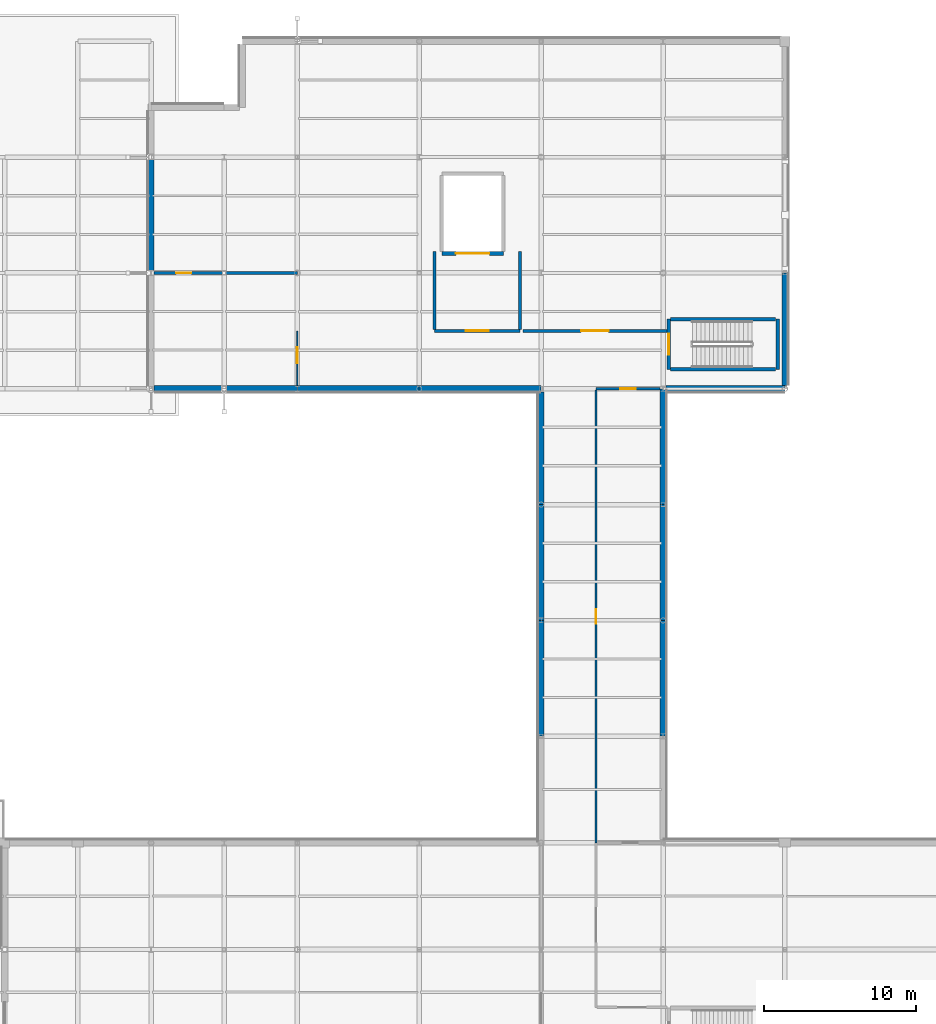
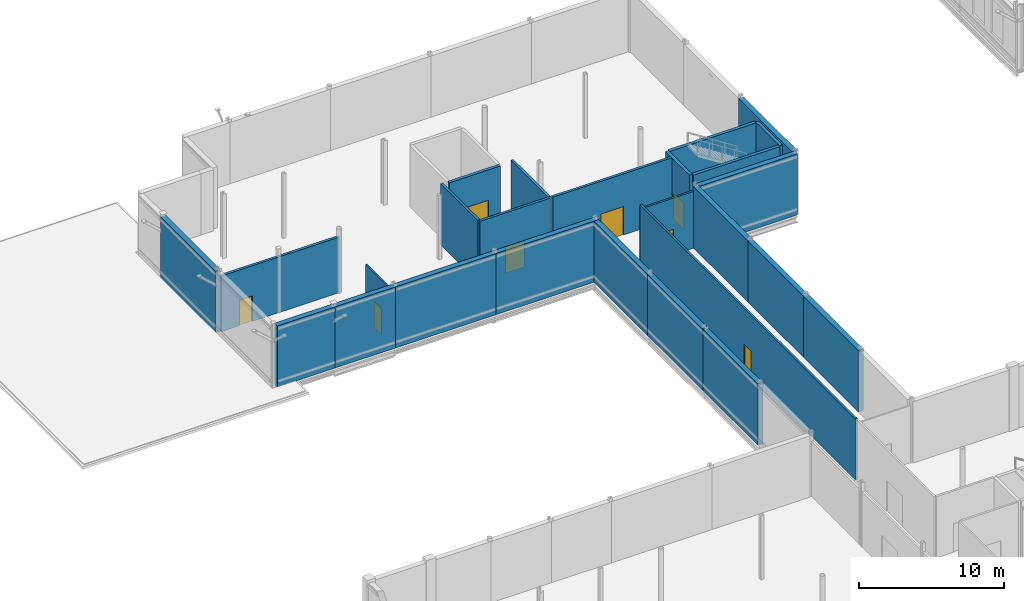
# One storey, part 121 of 147: 26 walls, 8 doors, 8 openings.
"""IFC4 building model written with IfcOpenShell, lengths in metres."""

from ifc_helpers import new_model, si_unit, direction, frame, frame_2d, origin, place, context, subcontext, project, spatial, rectangle, extrude, material, layer, layer_set, type_object, element, fill, save


model = new_model("IFC4")

# Units and contexts
model_context = context("Model", 3, precision=1e-05, world=origin(), true_north=direction((0.0, 1.0)))
body_context = subcontext(model_context, "Body", "Model", "MODEL_VIEW")
ifc_project = project(units=[si_unit("LENGTHUNIT", "METRE"), si_unit("AREAUNIT", "SQUARE_METRE"), si_unit("VOLUMEUNIT", "CUBIC_METRE"), si_unit("PLANEANGLEUNIT", "RADIAN"), si_unit("MASSUNIT", "GRAM", prefix="KILO")], contexts=[model_context])

# Site, building, storey
site_placement = place(None, origin())
site = spatial("IfcSite", under=ifc_project, at=site_placement, CompositionType="ELEMENT")
building_placement = place(site_placement, origin())
building = spatial("IfcBuilding", under=site, at=building_placement, Name="Vekula Escarpment Museum", CompositionType="ELEMENT")
storey_placement = place(building_placement, frame((0.0, 0.0, 7.800048828125)))
storey = spatial("IfcBuildingStorey", under=building, at=storey_placement, Name="L02", CompositionType="ELEMENT", Elevation=7.800048828125)

# Walls
ifc_material_1 = material(Name="Concrete C35/45", Category="concrete")
ifc_layer_1 = layer(ifc_material_1, 0.39990234375)
ifc_layer_set_1 = layer_set([ifc_layer_1], Name="Concrete C35/45")
wall_type_1 = type_object("IfcWallType", Name="WL-ARC-400", PredefinedType="SOLIDWALL", material=ifc_layer_set_1)
for number, where, z_axis, x_axis, name in (
    (1, (48.0, 98.0, 0.0), (0.0, 0.0, 1.0), (0.0, -1.0, 0.0), "Exterior Wall WL-EXT-L02-0478"),
    (2, (48.0, 105.60009765625, 0.0), (0.0, 0.0, 1.0), (0.0, -1.0, 0.0), "Exterior Wall WL-EXT-L02-0479"),
):
    element("IfcWall", number, at=place(storey_placement, frame(where, z_axis=z_axis, x_axis=x_axis)), inside=storey, type_object=wall_type_1, Name=name, PredefinedType="SOLIDWALL", context=body_context, shape_type="SweptSolid", body=[
        extrude(rectangle(XDim=7.60009765625, YDim=0.39990234375, at=frame_2d((3.800048828125, 0.0))), origin(), (0.0, 0.0, 1.0), 5.14990234375),
    ])
wall_1_placement = place(storey_placement, frame((48.0, 113.199951171875, 0.0), z_axis=(0.0, 0.0, 1.0), x_axis=(0.0, -1.0, 0.0)))
element("IfcWall", 3, at=wall_1_placement, inside=storey, type_object=wall_type_1, Name="Exterior Wall WL-EXT-L02-0480", PredefinedType="SOLIDWALL", context=body_context, shape_type="SweptSolid", body=[
    extrude(rectangle(XDim=7.599853515625, YDim=0.39990234375, at=frame_2d((3.7998046875, 0.0))), origin(), (0.0, 0.0, 1.0), 5.14990234375),
])
wall_2_placement = place(storey_placement, frame((56.0, 113.199951171875, 0.0), z_axis=(0.0, 0.0, 1.0), x_axis=(-1.0, 0.0, 0.0)))
element("IfcWall", 4, at=wall_2_placement, inside=storey, type_object=wall_type_1, Name="Exterior Wall WL-EXT-L02-0481", PredefinedType="SOLIDWALL", context=body_context, shape_type="SweptSolid", body=[
    extrude(rectangle(XDim=7.7958984375, YDim=0.39990234375, at=frame_2d((3.89794921875, 0.0))), origin(), (0.0, 0.0, 1.0), 5.14990234375),
])
wall_3_placement = place(storey_placement, frame((56.0, 120.800048828125, 0.0), z_axis=(0.0, 0.0, 1.0), x_axis=(0.0, -1.0, 0.0)))
element("IfcWall", 5, at=wall_3_placement, inside=storey, type_object=wall_type_1, Name="Exterior Wall WL-EXT-L02-0482", PredefinedType="SOLIDWALL", context=body_context, shape_type="SweptSolid", body=[
    extrude(rectangle(XDim=7.39599609375, YDim=0.39990234375, at=frame_2d((3.697998046875, 0.0))), origin(), (0.0, 0.0, 1.0), 5.14990234375),
])
wall_4_placement = place(storey_placement, frame((14.39990234375, 120.800048828125, 0.0), z_axis=(0.0, 0.0, 1.0), x_axis=(0.0, 1.0, 0.0)))
element("IfcWall", 6, at=wall_4_placement, inside=storey, type_object=wall_type_1, Name="Exterior Wall WL-EXT-L02-0494", PredefinedType="SOLIDWALL", context=body_context, shape_type="SweptSolid", body=[
    extrude(rectangle(XDim=7.599853515625, YDim=0.39990234375, at=frame_2d((3.7998046875, 0.0))), origin(), (0.0, 0.0, 1.0), 5.14990234375),
])
wall_5_placement = place(storey_placement, frame((19.199951171875, 113.199951171875, 0.0), z_axis=(0.0, 0.0, 1.0), x_axis=(-1.0, 0.0, 0.0)))
element("IfcWall", 7, at=wall_5_placement, inside=storey, type_object=wall_type_1, Name="Exterior Wall WL-EXT-L02-0496", PredefinedType="SOLIDWALL", context=body_context, shape_type="SweptSolid", body=[
    extrude(rectangle(XDim=4.595947265625, YDim=0.39990234375, at=frame_2d((2.2978515625, 0.0))), origin(), (0.0, 0.0, 1.0), 5.14990234375),
])
wall_6_placement = place(storey_placement, frame((24.0, 113.199951171875, 0.0), z_axis=(0.0, 0.0, 1.0), x_axis=(-1.0, 0.0, 0.0)))
element("IfcWall", 8, at=wall_6_placement, inside=storey, type_object=wall_type_1, Name="Exterior Wall WL-EXT-L02-0497", PredefinedType="SOLIDWALL", context=body_context, shape_type="SweptSolid", body=[
    extrude(rectangle(XDim=4.800048828125, YDim=0.39990234375, at=frame_2d((2.39990234375, 0.0))), origin(), (0.0, 0.0, 1.0), 5.14990234375),
])
for number, where, z_axis, x_axis, name in (
    (9, (32.0, 113.199951171875, 0.0), (0.0, 0.0, 1.0), (-1.0, 0.0, 0.0), "Exterior Wall WL-EXT-L02-0498"),
    (10, (40.0, 113.199951171875, 0.0), (0.0, 0.0, 1.0), (-1.0, 0.0, 0.0), "Exterior Wall WL-EXT-L02-0499"),
):
    element("IfcWall", number, at=place(storey_placement, frame(where, z_axis=z_axis, x_axis=x_axis)), inside=storey, type_object=wall_type_1, Name=name, PredefinedType="SOLIDWALL", context=body_context, shape_type="SweptSolid", body=[
        extrude(rectangle(XDim=8.0, YDim=0.39990234375, at=frame_2d((4.0, 0.0))), origin(), (0.0, 0.0, 1.0), 5.14990234375),
    ])
wall_7_placement = place(storey_placement, frame((40.0, 105.60009765625, 0.0), z_axis=(0.0, 0.0, 1.0), x_axis=(0.0, 1.0, 0.0)))
element("IfcWall", 11, at=wall_7_placement, inside=storey, type_object=wall_type_1, Name="Exterior Wall WL-EXT-L02-0500", PredefinedType="SOLIDWALL", context=body_context, shape_type="SweptSolid", body=[
    extrude(rectangle(XDim=7.39599609375, YDim=0.39990234375, at=frame_2d((3.697998046875, 0.0))), origin(), (0.0, 0.0, 1.0), 5.14990234375),
])
for number, where, z_axis, x_axis, name in (
    (12, (40.0, 98.0, 0.0), (0.0, 0.0, 1.0), (0.0, 1.0, 0.0), "Exterior Wall WL-EXT-L02-0501"),
    (13, (40.0, 90.39990234375, 0.0), (0.0, 0.0, 1.0), (0.0, 1.0, 0.0), "Exterior Wall WL-EXT-L02-0502"),
):
    element("IfcWall", number, at=place(storey_placement, frame(where, z_axis=z_axis, x_axis=x_axis)), inside=storey, type_object=wall_type_1, Name=name, PredefinedType="SOLIDWALL", context=body_context, shape_type="SweptSolid", body=[
        extrude(rectangle(XDim=7.60009765625, YDim=0.39990234375, at=frame_2d((3.800048828125, 0.0))), origin(), (0.0, 0.0, 1.0), 5.14990234375),
    ])

# Wall, opening, door
ifc_material_2 = material(Name="Concrete C35/45", Category="concrete")
ifc_layer_2 = layer(ifc_material_2, 0.25)
ifc_layer_set_2 = layer_set([ifc_layer_2], Name="Concrete C35/45")
wall_type_2 = type_object("IfcWallType", Name="WL-CORE-250", PredefinedType="SHEAR", material=ifc_layer_set_2)
wall_8_placement = place(storey_placement, frame((48.375, 114.47509765625, 0.0), z_axis=(0.0, 0.0, 1.0), x_axis=(0.0, 1.0, 0.0)))
wall_8 = element("IfcWall", 14, at=wall_8_placement, inside=storey, type_object=wall_type_2, Name="Stair Core Wall ST-03 L02 W", PredefinedType="SHEAR", context=body_context, shape_type="SweptSolid", body=[
    extrude(rectangle(XDim=3.289794921875, YDim=0.25, at=frame_2d((1.64501953125, 0.0))), origin(), (0.0, 0.0, 1.0), 5.14990234375),
])
opening_1_placement = place(wall_8_placement, frame((0.945068359375, 0.0, 0.0)))
opening_1 = element("IfcOpeningElement", 15, at=opening_1_placement, cuts=wall_8, Name="Opening DR-FD60", PredefinedType="OPENING", context=body_context, shape_type="SweptSolid", body=[
    extrude(rectangle(XDim=1.39990234375, YDim=2.199951171875, at=frame_2d((0.699951171875, 1.10009765625))), frame((0.0, 0.135009765625, 0.0), z_axis=(0.0, -1.0, 0.0), x_axis=(1.0, 0.0, 0.0)), (0.0, 0.0, 1.0), 0.27001953125),
])
ifc_material_3 = material(Name="Fire-rated steel stair door", Category="steel")
door_type_1 = type_object("IfcDoorType", Name="DR-STAIR-1400x2200", OperationType="NOTDEFINED", PredefinedType="DOOR", material=ifc_material_3)
door_1_placement = place(opening_1_placement, origin())
door_1 = element("IfcDoor", 16, at=door_1_placement, inside=storey, type_object=door_type_1, Name="Protected Exit Stair Door ST-03 L02", OperationType="SINGLE_SWING_RIGHT", OverallHeight=2.199951171875, OverallWidth=1.39990234375, PredefinedType="DOOR", context=body_context, shape_type="SweptSolid", body=[
    extrude(rectangle(XDim=1.39990234375, YDim=2.199951171875, at=frame_2d((0.699951171875, 1.10009765625))), frame((0.0, 0.02490234375, 0.0), z_axis=(0.0, -1.0, 0.0), x_axis=(1.0, 0.0, 0.0)), (0.0, 0.0, 1.0), 0.050048828125),
])
fill(opening_1, door_1)

# Walls
wall_9_placement = place(storey_placement, frame((55.52490234375, 114.47509765625, 0.0), z_axis=(0.0, 0.0, 1.0), x_axis=(0.0, 1.0, 0.0)))
element("IfcWall", 17, at=wall_9_placement, inside=storey, type_object=wall_type_2, Name="Stair Core Wall ST-03 L02 E", PredefinedType="SHEAR", context=body_context, shape_type="SweptSolid", body=[
    extrude(rectangle(XDim=3.289794921875, YDim=0.25, at=frame_2d((1.64501953125, 0.0))), origin(), (0.0, 0.0, 1.0), 5.14990234375),
])
for number, where, z_axis, x_axis, name in (
    (18, (48.50390625, 114.47509765625, 0.0), (0.0, 0.0, 1.0), (1.0, 0.0, 0.0), "Stair Core Wall ST-03 L02 S"),
    (19, (48.50390625, 117.764892578125, 0.0), (0.0, 0.0, 1.0), (1.0, 0.0, 0.0), "Stair Core Wall ST-03 L02 N"),
):
    element("IfcWall", number, at=place(storey_placement, frame(where, z_axis=z_axis, x_axis=x_axis)), inside=storey, type_object=wall_type_2, Name=name, PredefinedType="SHEAR", context=body_context, shape_type="SweptSolid", body=[
        extrude(rectangle(XDim=6.89208984375, YDim=0.25, at=frame_2d((3.446044921875, 0.0))), origin(), (0.0, 0.0, 1.0), 5.14990234375),
    ])

# Wall, opening, door
ifc_material_4 = material(Name="Concrete C35/45", Category="concrete")
ifc_layer_3 = layer(ifc_material_4, 0.199951171875)
ifc_layer_set_3 = layer_set([ifc_layer_3], Name="Concrete C35/45")
wall_type_3 = type_object("IfcWallType", Name="WL-FFL-200", PredefinedType="PARTITIONING", material=ifc_layer_set_3)
wall_10_placement = place(storey_placement, frame((33.0, 117.0, 0.0), z_axis=(0.0, 0.0, 1.0), x_axis=(1.0, 0.0, 0.0)))
wall_10 = element("IfcWall", 20, at=wall_10_placement, inside=storey, type_object=wall_type_3, Name="Lift Lobby Wall GL-01 L02 S", PredefinedType="PARTITIONING", context=body_context, shape_type="SweptSolid", body=[
    extrude(rectangle(XDim=5.60009765625, YDim=0.199951171875, at=frame_2d((2.800048828125, 0.0))), origin(), (0.0, 0.0, 1.0), 5.14990234375),
])
opening_2_placement = place(wall_10_placement, frame((2.050048828125, 0.0, 0.0)))
opening_2 = element("IfcOpeningElement", 21, at=opening_2_placement, cuts=wall_10, Name="Opening DR-FD60L", PredefinedType="OPENING", context=body_context, shape_type="SweptSolid", body=[
    extrude(rectangle(XDim=1.5, YDim=2.199951171875, at=frame_2d((0.75, 1.10009765625))), frame((0.0, 0.10986328125, 0.0), z_axis=(0.0, -1.0, 0.0), x_axis=(1.0, 0.0, 0.0)), (0.0, 0.0, 1.0), 0.219970703125),
])
ifc_material_5 = material(Name="Fire-rated glazed lobby door", Category="steel")
door_type_2 = type_object("IfcDoorType", Name="DR-FFLOB-1500x2200", OperationType="NOTDEFINED", PredefinedType="DOOR", material=ifc_material_5)
door_2_placement = place(opening_2_placement, origin())
door_2 = element("IfcDoor", 22, at=door_2_placement, inside=storey, type_object=door_type_2, Name="Lift Lobby Fire Door GL-01 L02", OperationType="SINGLE_SWING_RIGHT", OverallHeight=2.199951171875, OverallWidth=1.5, PredefinedType="DOOR", context=body_context, shape_type="SweptSolid", body=[
    extrude(rectangle(XDim=1.5, YDim=2.199951171875, at=frame_2d((0.75, 1.10009765625))), frame((0.0, 0.02490234375, 0.0), z_axis=(0.0, -1.0, 0.0), x_axis=(1.0, 0.0, 0.0)), (0.0, 0.0, 1.0), 0.050048828125),
])
fill(opening_2, door_2)

# Walls
for number, where, z_axis, x_axis, name in (
    (23, (33.0, 117.10400390625, 0.0), (0.0, 0.0, 1.0), (0.0, 1.0, 0.0), "Lift Lobby Wall GL-01 L02 W"),
    (24, (38.60009765625, 117.10400390625, 0.0), (0.0, 0.0, 1.0), (0.0, 1.0, 0.0), "Lift Lobby Wall GL-01 L02 E"),
):
    element("IfcWall", number, at=place(storey_placement, frame(where, z_axis=z_axis, x_axis=x_axis)), inside=storey, type_object=wall_type_3, Name=name, PredefinedType="PARTITIONING", context=body_context, shape_type="SweptSolid", body=[
        extrude(rectangle(XDim=5.095947265625, YDim=0.199951171875, at=frame_2d((2.5478515625, 0.0))), origin(), (0.0, 0.0, 1.0), 5.14990234375),
    ])

# Wall, opening, door
wall_11_placement = place(storey_placement, frame((14.60400390625, 120.800048828125, 0.0), z_axis=(0.0, 0.0, 1.0), x_axis=(1.0, 0.0, 0.0)))
wall_11 = element("IfcWall", 25, at=wall_11_placement, inside=storey, type_object=wall_type_3, Name="Interior Partition WL-INT-L02-0001", PredefinedType="PARTITIONING", context=body_context, shape_type="SweptSolid", body=[
    extrude(rectangle(XDim=9.39599609375, YDim=0.199951171875, at=frame_2d((4.697998046875, 0.0))), origin(), (0.0, 0.0, 1.0), 4.68505859375),
])
opening_3_placement = place(wall_11_placement, frame((1.449462890625, 0.0, 0.0)))
opening_3 = element("IfcOpeningElement", 26, at=opening_3_placement, cuts=wall_11, Name="Opening DR-OF10", PredefinedType="OPENING", context=body_context, shape_type="SweptSolid", body=[
    extrude(rectangle(XDim=1.0, YDim=2.14990234375, at=frame_2d((0.5, 1.074951171875))), frame((0.0, 0.10986328125, 0.0), z_axis=(0.0, -1.0, 0.0), x_axis=(1.0, 0.0, 0.0)), (0.0, 0.0, 1.0), 0.219970703125),
])
ifc_material_6 = material(Name="Solid core timber study door", Category="wood")
door_type_3 = type_object("IfcDoorType", Name="DR-OFF-1000x2150", OperationType="NOTDEFINED", PredefinedType="DOOR", material=ifc_material_6)
door_3_placement = place(opening_3_placement, origin())
door_3 = element("IfcDoor", 27, at=door_3_placement, inside=storey, type_object=door_type_3, Name="Interior Door L02-001", OperationType="SINGLE_SWING_LEFT", OverallHeight=2.14990234375, OverallWidth=1.0, PredefinedType="DOOR", context=body_context, shape_type="SweptSolid", body=[
    extrude(rectangle(XDim=1.0, YDim=2.14990234375, at=frame_2d((0.5, 1.074951171875))), frame((0.0, 0.02490234375, 0.0), z_axis=(0.0, -1.0, 0.0), x_axis=(1.0, 0.0, 0.0)), (0.0, 0.0, 1.0), 0.050048828125),
])
fill(opening_3, door_3)

wall_12_placement = place(storey_placement, frame((38.800048828125, 117.0, 0.0), z_axis=(0.0, 0.0, 1.0), x_axis=(1.0, 0.0, 0.0)))
wall_12 = element("IfcWall", 28, at=wall_12_placement, inside=storey, type_object=wall_type_3, Name="Interior Partition WL-INT-L02-0002", PredefinedType="PARTITIONING", context=body_context, shape_type="SweptSolid", body=[
    extrude(rectangle(XDim=9.446044921875, YDim=0.199951171875, at=frame_2d((4.72314453125, 0.0))), origin(), (0.0, 0.0, 1.0), 5.14990234375),
])
opening_4_placement = place(wall_12_placement, frame((3.822998046875, 0.0, 0.0)))
opening_4 = element("IfcOpeningElement", 29, at=opening_4_placement, cuts=wall_12, Name="Opening DR-FD120", PredefinedType="OPENING", context=body_context, shape_type="SweptSolid", body=[
    extrude(rectangle(XDim=1.800048828125, YDim=2.39990234375, at=frame_2d((0.89990234375, 1.199951171875))), frame((0.0, 0.10986328125, 0.0), z_axis=(0.0, -1.0, 0.0), x_axis=(1.0, 0.0, 0.0)), (0.0, 0.0, 1.0), 0.219970703125),
])
ifc_material_7 = material(Name="Fire-rated steel archive vault door", Category="steel")
door_type_4 = type_object("IfcDoorType", Name="DR-VAULT-1800x2400", OperationType="NOTDEFINED", PredefinedType="DOOR", material=ifc_material_7)
door_4_placement = place(opening_4_placement, origin())
door_4 = element("IfcDoor", 30, at=door_4_placement, inside=storey, type_object=door_type_4, Name="Interior Door L02-002", OperationType="SINGLE_SWING_RIGHT", OverallHeight=2.39990234375, OverallWidth=1.800048828125, PredefinedType="DOOR", context=body_context, shape_type="SweptSolid", body=[
    extrude(rectangle(XDim=1.800048828125, YDim=2.39990234375, at=frame_2d((0.89990234375, 1.199951171875))), frame((0.0, 0.02490234375, 0.0), z_axis=(0.0, -1.0, 0.0), x_axis=(1.0, 0.0, 0.0)), (0.0, 0.0, 1.0), 0.050048828125),
])
fill(opening_4, door_4)

ifc_material_8 = material(Name="Lightweight studio partition", Category="gypsum")
ifc_layer_4 = layer(ifc_material_8, 0.1201171875)
ifc_layer_set_4 = layer_set([ifc_layer_4], Name="Lightweight studio partition")
wall_type_4 = type_object("IfcWallType", Name="WL-PART-120", PredefinedType="PARTITIONING", material=ifc_layer_set_4)
wall_13_placement = place(storey_placement, frame((24.0, 113.404052734375, 0.0), z_axis=(0.0, 0.0, 1.0), x_axis=(0.0, 1.0, 0.0)))
wall_13 = element("IfcWall", 31, at=wall_13_placement, inside=storey, type_object=wall_type_4, Name="Interior Partition WL-INT-L02-0003", PredefinedType="PARTITIONING", context=body_context, shape_type="SweptSolid", body=[
    extrude(rectangle(XDim=3.595947265625, YDim=0.1201171875, at=frame_2d((1.7978515625, 0.0))), origin(), (0.0, 0.0, 1.0), 4.635009765625),
])
opening_5_placement = place(wall_13_placement, frame((1.45751953125, 0.0, 0.0)))
opening_5 = element("IfcOpeningElement", 32, at=opening_5_placement, cuts=wall_13, Name="Opening DR-CR10", PredefinedType="OPENING", context=body_context, shape_type="SweptSolid", body=[
    extrude(rectangle(XDim=1.050048828125, YDim=2.199951171875, at=frame_2d((0.52490234375, 1.10009765625))), frame((0.0, 0.070068359375, 0.0), z_axis=(0.0, -1.0, 0.0), x_axis=(1.0, 0.0, 0.0)), (0.0, 0.0, 1.0), 0.14013671875),
])
ifc_material_9 = material(Name="Solid hardwood curatorial door", Category="wood")
door_type_5 = type_object("IfcDoorType", Name="DR-CUR-1050x2200", OperationType="NOTDEFINED", PredefinedType="DOOR", material=ifc_material_9)
door_5_placement = place(opening_5_placement, origin())
door_5 = element("IfcDoor", 33, at=door_5_placement, inside=storey, type_object=door_type_5, Name="Interior Door L02-003", OperationType="SINGLE_SWING_LEFT", OverallHeight=2.199951171875, OverallWidth=1.050048828125, PredefinedType="DOOR", context=body_context, shape_type="SweptSolid", body=[
    extrude(rectangle(XDim=1.050048828125, YDim=2.199951171875, at=frame_2d((0.52490234375, 1.10009765625))), frame((0.0, 0.02490234375, 0.0), z_axis=(0.0, -1.0, 0.0), x_axis=(1.0, 0.0, 0.0)), (0.0, 0.0, 1.0), 0.050048828125),
])
fill(opening_5, door_5)

ifc_material_10 = material(Name="Gypsum board dry-lined partition", Category="gypsum")
ifc_layer_5 = layer(ifc_material_10, 0.14990234375)
ifc_layer_set_5 = layer_set([ifc_layer_5], Name="Gypsum board dry-lined partition")
wall_type_5 = type_object("IfcWallType", Name="WL-PART-150", PredefinedType="PARTITIONING", material=ifc_layer_set_5)
wall_14_placement = place(storey_placement, frame((43.60009765625, 83.39990234375, 0.0), z_axis=(0.0, 0.0, 1.0), x_axis=(0.0, 1.0, 0.0)))
wall_14 = element("IfcWall", 34, at=wall_14_placement, inside=storey, type_object=wall_type_5, Name="Interior Partition WL-INT-L02-0005", PredefinedType="PARTITIONING", context=body_context, shape_type="SweptSolid", body=[
    extrude(rectangle(XDim=29.716064453125, YDim=0.14990234375, at=frame_2d((14.85791015625, 0.0))), origin(), (0.0, 0.0, 1.0), 5.14990234375),
])
opening_6_placement = place(wall_14_placement, frame((14.383056640625, 0.0, 0.0)))
opening_6 = element("IfcOpeningElement", 35, at=opening_6_placement, cuts=wall_14, Name="Opening DR-OF09", PredefinedType="OPENING", context=body_context, shape_type="SweptSolid", body=[
    extrude(rectangle(XDim=0.949951171875, YDim=2.10009765625, at=frame_2d((0.47509765625, 1.050048828125))), frame((0.0, 0.0849609375, 0.0), z_axis=(0.0, -1.0, 0.0), x_axis=(1.0, 0.0, 0.0)), (0.0, 0.0, 1.0), 0.169921875),
])
ifc_material_11 = material(Name="Solid core timber office door", Category="wood")
door_type_6 = type_object("IfcDoorType", Name="DR-OFF-0950x2100", OperationType="NOTDEFINED", PredefinedType="DOOR", material=ifc_material_11)
door_6_placement = place(opening_6_placement, origin())
door_6 = element("IfcDoor", 36, at=door_6_placement, inside=storey, type_object=door_type_6, Name="Interior Door L02-005", OperationType="SINGLE_SWING_LEFT", OverallHeight=2.10009765625, OverallWidth=0.949951171875, PredefinedType="DOOR", context=body_context, shape_type="SweptSolid", body=[
    extrude(rectangle(XDim=0.949951171875, YDim=2.10009765625, at=frame_2d((0.47509765625, 1.050048828125))), frame((0.0, 0.02490234375, 0.0), z_axis=(0.0, -1.0, 0.0), x_axis=(1.0, 0.0, 0.0)), (0.0, 0.0, 1.0), 0.050048828125),
])
fill(opening_6, door_6)

ifc_material_12 = material(Name="Gypsum board gallery partition", Category="gypsum")
ifc_layer_6 = layer(ifc_material_12, 0.159912109375)
ifc_layer_set_6 = layer_set([ifc_layer_6], Name="Gypsum board gallery partition")
wall_type_6 = type_object("IfcWallType", Name="WL-PART-160", PredefinedType="PARTITIONING", material=ifc_layer_set_6)
wall_15_placement = place(storey_placement, frame((43.60009765625, 113.199951171875, 0.0), z_axis=(0.0, 0.0, 1.0), x_axis=(1.0, 0.0, 0.0)))
wall_15 = element("IfcWall", 37, at=wall_15_placement, inside=storey, type_object=wall_type_6, Name="Interior Partition WL-INT-L02-0004", PredefinedType="PARTITIONING", context=body_context, shape_type="SweptSolid", body=[
    extrude(rectangle(XDim=4.19580078125, YDim=0.159912109375, at=frame_2d((2.097900390625, 0.0))), origin(), (0.0, 0.0, 1.0), 4.77490234375),
])
opening_7_placement = place(wall_15_placement, frame((1.597900390625, 0.0, 0.0)))
opening_7 = element("IfcOpeningElement", 38, at=opening_7_placement, cuts=wall_15, Name="Opening DR-OF10", PredefinedType="OPENING", context=body_context, shape_type="SweptSolid", body=[
    extrude(rectangle(XDim=1.0, YDim=2.14990234375, at=frame_2d((0.5, 1.074951171875))), frame((0.0, 0.08984375, 0.0), z_axis=(0.0, -1.0, 0.0), x_axis=(1.0, 0.0, 0.0)), (0.0, 0.0, 1.0), 0.179931640625),
])
door_7_placement = place(opening_7_placement, origin())
door_7 = element("IfcDoor", 39, at=door_7_placement, inside=storey, type_object=door_type_3, Name="Interior Door L02-004", OperationType="SINGLE_SWING_RIGHT", OverallHeight=2.14990234375, OverallWidth=1.0, PredefinedType="DOOR", context=body_context, shape_type="SweptSolid", body=[
    extrude(rectangle(XDim=1.0, YDim=2.14990234375, at=frame_2d((0.5, 1.074951171875))), frame((0.0, 0.02490234375, 0.0), z_axis=(0.0, -1.0, 0.0), x_axis=(1.0, 0.0, 0.0)), (0.0, 0.0, 1.0), 0.050048828125),
])
fill(opening_7, door_7)

ifc_material_13 = material(Name="Concrete C35/45", Category="concrete")
ifc_layer_7 = layer(ifc_material_13, 0.239990234375)
ifc_layer_set_7 = layer_set([ifc_layer_7], Name="Concrete C35/45")
wall_type_7 = type_object("IfcWallType", Name="WL-SHF-240", PredefinedType="SHEAR", material=ifc_layer_set_7)
wall_16_placement = place(storey_placement, frame((33.47998046875, 122.080078125, 0.0), z_axis=(0.0, 0.0, 1.0), x_axis=(1.0, 0.0, 0.0)))
wall_16 = element("IfcWall", 40, at=wall_16_placement, inside=storey, type_object=wall_type_7, Name="Lift Shaft Wall GL-01 L02 S", PredefinedType="SHEAR", context=body_context, shape_type="SweptSolid", body=[
    extrude(rectangle(XDim=4.0400390625, YDim=0.239990234375, at=frame_2d((2.02001953125, 0.0))), origin(), (0.0, 0.0, 1.0), 5.14990234375),
])
opening_8_placement = place(wall_16_placement, frame((0.919921875, 0.0, 0.0)))
opening_8 = element("IfcOpeningElement", 41, at=opening_8_placement, cuts=wall_16, Name="Opening LD-GDS", PredefinedType="OPENING", context=body_context, shape_type="SweptSolid", body=[
    extrude(rectangle(XDim=2.199951171875, YDim=2.60009765625, at=frame_2d((1.10009765625, 1.300048828125))), frame((0.0, 0.1298828125, 0.0), z_axis=(0.0, -1.0, 0.0), x_axis=(1.0, 0.0, 0.0)), (0.0, 0.0, 1.0), 0.260009765625),
])
ifc_material_14 = material(Name="Heavy-duty bi-parting goods lift landing door", Category="steel")
door_type_7 = type_object("IfcDoorType", Name="DR-LD-GDS-2200", OperationType="DOUBLE_DOOR_SLIDING", PredefinedType="DOOR", material=ifc_material_14)
door_8_placement = place(opening_8_placement, origin())
door_8 = element("IfcDoor", 42, at=door_8_placement, inside=storey, type_object=door_type_7, Name="Sliding Lift Landing Door GL-01 L02", OperationType="DOUBLE_DOOR_SLIDING", OverallHeight=2.60009765625, OverallWidth=2.199951171875, PredefinedType="DOOR", context=body_context, shape_type="SweptSolid", body=[
    extrude(rectangle(XDim=2.199951171875, YDim=2.60009765625, at=frame_2d((1.10009765625, 1.300048828125))), frame((0.0, 0.02490234375, 0.0), z_axis=(0.0, -1.0, 0.0), x_axis=(1.0, 0.0, 0.0)), (0.0, 0.0, 1.0), 0.050048828125),
])
fill(opening_8, door_8)

save(model, "model.ifc")
